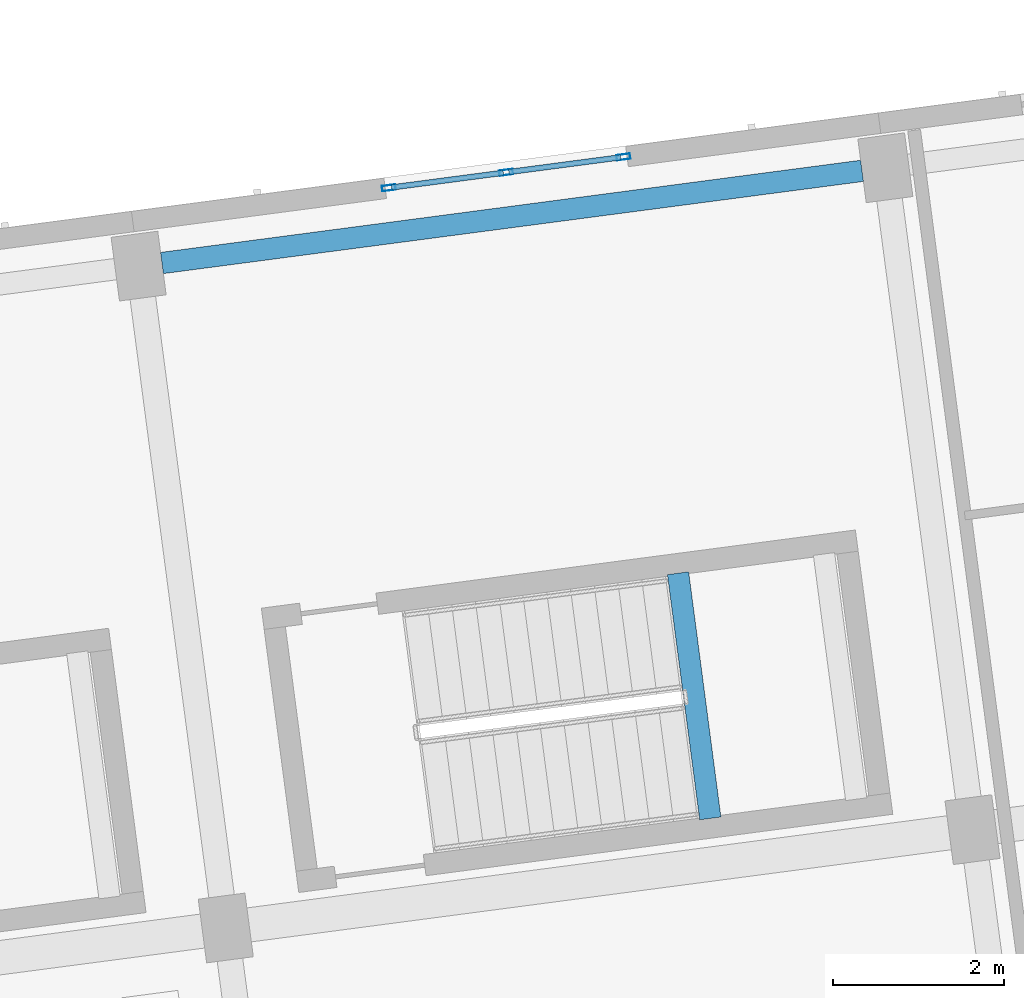
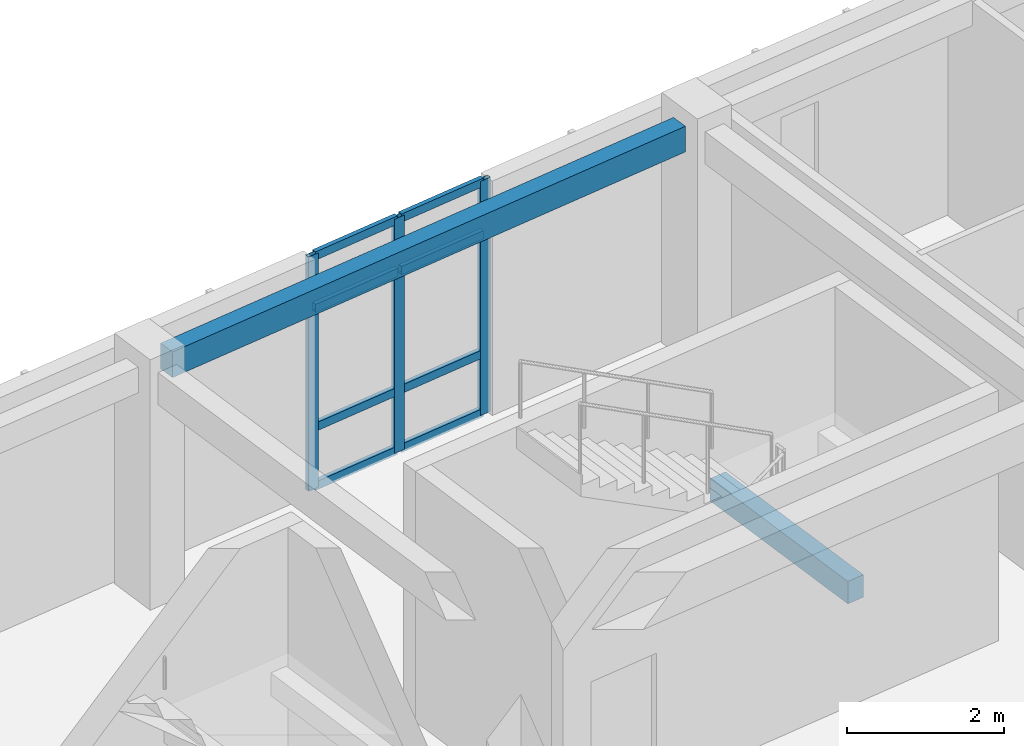
# One storey, part 39 of 150: 11 members, 2 beams, 1 element without a shape of its own.
"""IFC4 building model written with IfcOpenShell, lengths in metres."""

from ifc_helpers import new_model, si_unit, direction, frame, origin, origin_2d, place, context, subcontext, project, spatial, rectangle, hollow_rectangle, extrude, material, material_profile, profile_set, type_object, element, aggregate, save


model = new_model("IFC4")

# Units and contexts
model_context = context("Model", 3, precision=1e-05, world=origin(), true_north=direction((0.0, 1.0)))
body_context = subcontext(model_context, "Body", "Model", "MODEL_VIEW")
ifc_project = project(units=[si_unit("LENGTHUNIT", "METRE"), si_unit("AREAUNIT", "SQUARE_METRE"), si_unit("VOLUMEUNIT", "CUBIC_METRE"), si_unit("PLANEANGLEUNIT", "RADIAN"), si_unit("MASSUNIT", "GRAM", prefix="KILO")], contexts=[model_context])

# Site, building, storey
site_placement = place(None, origin())
site = spatial("IfcSite", under=ifc_project, at=site_placement, CompositionType="ELEMENT")
building_placement = place(site_placement, origin())
building = spatial("IfcBuilding", under=site, at=building_placement, Name="Kestramere Prow Commons", CompositionType="ELEMENT")
storey_placement = place(building_placement, frame((0.0, 0.0, 4.5)))
storey = spatial("IfcBuildingStorey", under=building, at=storey_placement, Name="L01", CompositionType="ELEMENT", Elevation=4.5)

# Beam
ifc_material_1 = material(Name="Concrete C40/50", Category="concrete")
ifc_material_profile_1 = material_profile(ifc_material_1, rectangle(XDim=0.25, YDim=0.35009765625, at=origin_2d()), Name="PC-BM 250x350")
ifc_profile_set_1 = profile_set([ifc_material_profile_1], Name="Concrete C40/50")
beam_type_1 = type_object("IfcBeamType", Name="BM-ST-TRIM", PredefinedType="BEAM", material=ifc_profile_set_1)
beam_1_placement = place(storey_placement, frame((32.71826171875, 87.6728515625, 1.574951171875), z_axis=(-0.130520071219, 0.9914456672, 0.0), x_axis=(-0.9914456672, -0.130520071219, 0.0)))
element("IfcBeam", 1, at=beam_1_placement, inside=storey, type_object=beam_type_1, Name="ST-A2 L01 Landing Trimmer Beam 1A", PredefinedType="BEAM", context=body_context, shape_type="SweptSolid", body=[
    extrude(rectangle(XDim=0.25, YDim=0.35009765625, at=origin_2d()), origin(), (0.0, 0.0, 1.0), 2.889892578125),
])

# Curtain wall, members
ifc_material_2 = material(Name="Anodised Aluminium and Low-E Glass", Category="aluminium")
curtain_wall_type = type_object("IfcCurtainWallType", Name="CW-02 Glazed Curtain Wall 2830x3650", PredefinedType="USERDEFINED", material=ifc_material_2)
curtain_wall_placement = place(storey_placement, origin())
curtain_wall = element("IfcCurtainWall", 2, at=curtain_wall_placement, inside=storey, type_object=curtain_wall_type, Name="Block A L01 Stairwell Vertical Glazing 3", ObjectType="GLAZED CURTAIN WALL", PredefinedType="USERDEFINED")
ifc_material_3 = material(Name="Anodised Aluminium 6063-T6", Category="aluminium")
ifc_material_profile_2 = material_profile(ifc_material_3, hollow_rectangle(XDim=0.06494140625, YDim=0.159912109375, WallThickness=0.00390625, at=origin_2d()), Name="ALU-MUL 65x160")
ifc_profile_set_2 = profile_set([ifc_material_profile_2], Name="Anodised Aluminium 6063-T6")
member_type_1 = type_object("IfcMemberType", Name="CW-MUL-65x160", PredefinedType="MULLION", material=ifc_profile_set_2)
member_1_placement = place(storey_placement, frame((28.962158203125, 95.04052734375, 0.0), z_axis=(0.0, 0.0, 1.0), x_axis=(-0.130526494555, 0.991444821571, 0.0)))
member_1 = element("IfcMember", 3, at=member_1_placement, type_object=member_type_1, Name="CW-02 mullion 1", PredefinedType="MULLION", context=body_context, shape_type="SweptSolid", body=[
    extrude(hollow_rectangle(XDim=0.06494140625, YDim=0.159912109375, WallThickness=0.00390625, at=origin_2d()), origin(), (0.0, 0.0, 1.0), 3.64990234375),
])
member_2_placement = place(storey_placement, frame((30.332763671875, 95.220947265625, 0.0), z_axis=(0.0, 0.0, 1.0), x_axis=(-0.130526494555, 0.991444821571, 0.0)))
member_2 = element("IfcMember", 4, at=member_2_placement, type_object=member_type_1, Name="CW-02 mullion 2", PredefinedType="MULLION", context=body_context, shape_type="SweptSolid", body=[
    extrude(hollow_rectangle(XDim=0.06494140625, YDim=0.159912109375, WallThickness=0.00390625, at=origin_2d()), origin(), (0.0, 0.0, 1.0), 3.64990234375),
])
member_3_placement = place(storey_placement, frame((31.703369140625, 95.4013671875, 0.0), z_axis=(0.0, 0.0, 1.0), x_axis=(-0.130526494555, 0.991444821571, 0.0)))
member_3 = element("IfcMember", 5, at=member_3_placement, type_object=member_type_1, Name="CW-02 mullion 3", PredefinedType="MULLION", context=body_context, shape_type="SweptSolid", body=[
    extrude(hollow_rectangle(XDim=0.06494140625, YDim=0.159912109375, WallThickness=0.00390625, at=origin_2d()), origin(), (0.0, 0.0, 1.0), 3.64990234375),
])
ifc_material_profile_3 = material_profile(ifc_material_3, hollow_rectangle(XDim=0.06494140625, YDim=0.1298828125, WallThickness=0.00390625, at=origin_2d()), Name="ALU-TRN 65x130")
ifc_profile_set_3 = profile_set([ifc_material_profile_3], Name="Anodised Aluminium 6063-T6")
member_type_2 = type_object("IfcMemberType", Name="CW-TRN-65x130", PredefinedType="USERDEFINED", material=ifc_profile_set_3)
member_4_placement = place(storey_placement, frame((28.994384765625, 95.044677734375, 0.032470703125), z_axis=(0.99142904707, 0.130646257605, 0.0), x_axis=(-0.130646257605, 0.99142904707, 0.0)))
member_4 = element("IfcMember", 6, at=member_4_placement, type_object=member_type_2, Name="CW-02 transom 1.1", ObjectType="TRANSOM", PredefinedType="USERDEFINED", context=body_context, shape_type="SweptSolid", body=[
    extrude(hollow_rectangle(XDim=0.06494140625, YDim=0.1298828125, WallThickness=0.00390625, at=origin_2d()), origin(), (0.0, 0.0, 1.0), 1.3173828125),
])
member_5_placement = place(storey_placement, frame((28.994384765625, 95.044677734375, 0.949951171875), z_axis=(0.99142904707, 0.130646257605, 0.0), x_axis=(-0.130646257605, 0.99142904707, 0.0)))
member_5 = element("IfcMember", 7, at=member_5_placement, type_object=member_type_2, Name="CW-02 transom 1.2", ObjectType="TRANSOM", PredefinedType="USERDEFINED", context=body_context, shape_type="SweptSolid", body=[
    extrude(hollow_rectangle(XDim=0.06494140625, YDim=0.1298828125, WallThickness=0.00390625, at=origin_2d()), origin(), (0.0, 0.0, 1.0), 1.3173828125),
])
member_6_placement = place(storey_placement, frame((28.994384765625, 95.044677734375, 2.800048828125), z_axis=(0.99142904707, 0.130646257605, 0.0), x_axis=(-0.130646257605, 0.99142904707, 0.0)))
member_6 = element("IfcMember", 8, at=member_6_placement, type_object=member_type_2, Name="CW-02 transom 1.3", ObjectType="TRANSOM", PredefinedType="USERDEFINED", context=body_context, shape_type="SweptSolid", body=[
    extrude(hollow_rectangle(XDim=0.06494140625, YDim=0.1298828125, WallThickness=0.00390625, at=origin_2d()), origin(), (0.0, 0.0, 1.0), 1.3173828125),
])
member_7_placement = place(storey_placement, frame((28.994384765625, 95.044677734375, 3.617431640625), z_axis=(0.99142904707, 0.130646257605, 0.0), x_axis=(-0.130646257605, 0.99142904707, 0.0)))
member_7 = element("IfcMember", 9, at=member_7_placement, type_object=member_type_2, Name="CW-02 transom 1.4", ObjectType="TRANSOM", PredefinedType="USERDEFINED", context=body_context, shape_type="SweptSolid", body=[
    extrude(hollow_rectangle(XDim=0.06494140625, YDim=0.1298828125, WallThickness=0.00390625, at=origin_2d()), origin(), (0.0, 0.0, 1.0), 1.3173828125),
])
member_8_placement = place(storey_placement, frame((30.364990234375, 95.225341796875, 0.032470703125), z_axis=(0.991453033969, 0.130464100171, 0.0), x_axis=(-0.130464100171, 0.991453033969, 0.0)))
member_8 = element("IfcMember", 10, at=member_8_placement, type_object=member_type_2, Name="CW-02 transom 2.1", ObjectType="TRANSOM", PredefinedType="USERDEFINED", context=body_context, shape_type="SweptSolid", body=[
    extrude(hollow_rectangle(XDim=0.06494140625, YDim=0.1298828125, WallThickness=0.00390625, at=origin_2d()), origin(), (0.0, 0.0, 1.0), 1.3173828125),
])
member_9_placement = place(storey_placement, frame((30.364990234375, 95.225341796875, 0.949951171875), z_axis=(0.991453033969, 0.130464100171, 0.0), x_axis=(-0.130464100171, 0.991453033969, 0.0)))
member_9 = element("IfcMember", 11, at=member_9_placement, type_object=member_type_2, Name="CW-02 transom 2.2", ObjectType="TRANSOM", PredefinedType="USERDEFINED", context=body_context, shape_type="SweptSolid", body=[
    extrude(hollow_rectangle(XDim=0.06494140625, YDim=0.1298828125, WallThickness=0.00390625, at=origin_2d()), origin(), (0.0, 0.0, 1.0), 1.3173828125),
])
member_10_placement = place(storey_placement, frame((30.364990234375, 95.225341796875, 2.800048828125), z_axis=(0.991453033969, 0.130464100171, 0.0), x_axis=(-0.130464100171, 0.991453033969, 0.0)))
member_10 = element("IfcMember", 12, at=member_10_placement, type_object=member_type_2, Name="CW-02 transom 2.3", ObjectType="TRANSOM", PredefinedType="USERDEFINED", context=body_context, shape_type="SweptSolid", body=[
    extrude(hollow_rectangle(XDim=0.06494140625, YDim=0.1298828125, WallThickness=0.00390625, at=origin_2d()), origin(), (0.0, 0.0, 1.0), 1.3173828125),
])
member_11_placement = place(storey_placement, frame((30.364990234375, 95.225341796875, 3.617431640625), z_axis=(0.991453033969, 0.130464100171, 0.0), x_axis=(-0.130464100171, 0.991453033969, 0.0)))
member_11 = element("IfcMember", 13, at=member_11_placement, type_object=member_type_2, Name="CW-02 transom 2.4", ObjectType="TRANSOM", PredefinedType="USERDEFINED", context=body_context, shape_type="SweptSolid", body=[
    extrude(hollow_rectangle(XDim=0.06494140625, YDim=0.1298828125, WallThickness=0.00390625, at=origin_2d()), origin(), (0.0, 0.0, 1.0), 1.3173828125),
])
aggregate(curtain_wall, [member_1, member_2, member_3, member_4, member_5, member_6, member_7, member_8, member_9, member_10, member_11])

# Beam
ifc_material_4 = material(Name="Precast concrete C40/50", Category="concrete")
ifc_material_profile_4 = material_profile(ifc_material_4, rectangle(XDim=0.25, YDim=0.39990234375, at=origin_2d()), Name="PC-SP 250x400")
ifc_profile_set_4 = profile_set([ifc_material_profile_4], Name="Precast concrete C40/50")
beam_type_2 = type_object("IfcBeamType", Name="SP-EXT-01 PC-SP 250x400", PredefinedType="SPANDREL", material=ifc_profile_set_4)
beam_2_placement = place(storey_placement, frame((26.3115234375, 94.162109375, 3.449951171875), z_axis=(0.991443917843, 0.130533358852, 0.0), x_axis=(-0.130533358852, 0.991443917843, 0.0)))
element("IfcBeam", 14, at=beam_2_placement, inside=storey, type_object=beam_type_2, Name="Block A L01 Longitudinal Beam 4-3", PredefinedType="SPANDREL", context=body_context, shape_type="SweptSolid", body=[
    extrude(rectangle(XDim=0.25, YDim=0.39990234375, at=origin_2d()), origin(), (0.0, 0.0, 1.0), 8.25),
])

save(model, "model.ifc")
